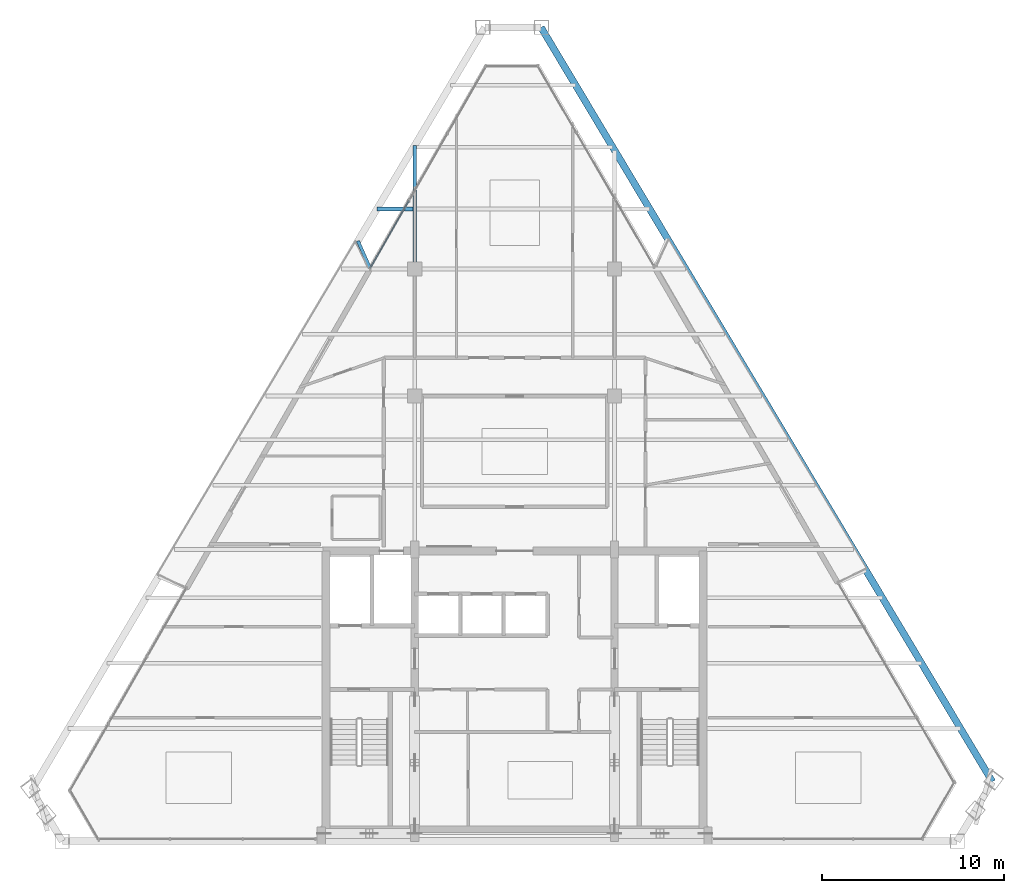
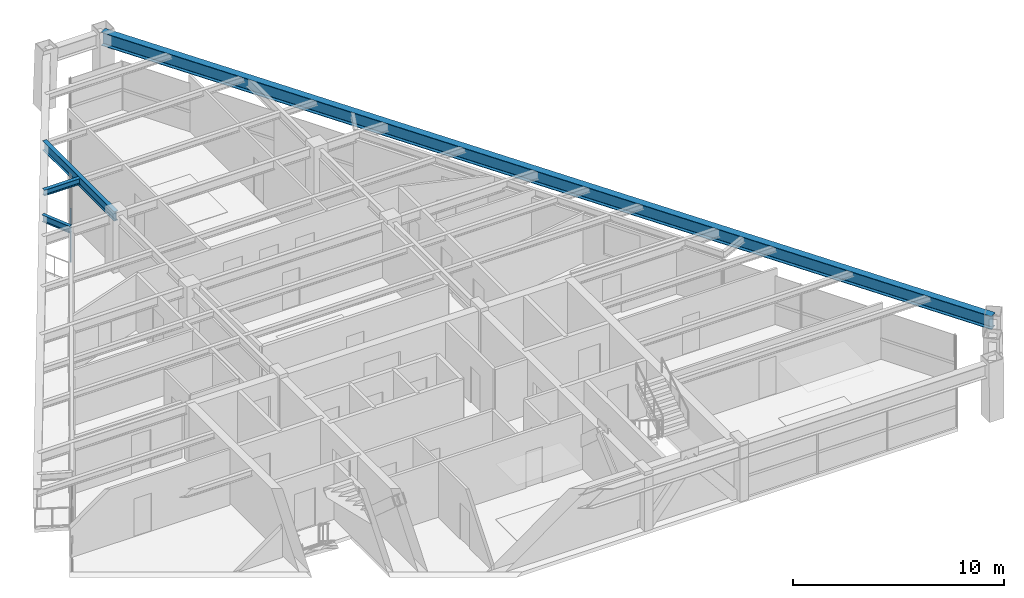
# One storey, part 6 of 13: 4 beams, 1 member, 1 element without a shape of its own.
"""IFC4 building model written with IfcOpenShell, lengths in metres."""

import ifcopenshell
import ifcopenshell.guid

model = None  # the IFC model being written
_history = None  # IfcOwnerHistory: only IFC2X3 demands one
_inside = {}  # id of a spatial element -> (the spatial element, [elements in it])
_under = {}  # id of a project, library or spatial element -> (it, [spatial elements below it])
_declared = {}  # id of a project -> (the project, [libraries it declares])
_typed = {}  # id of a type object -> (the type object, [elements of that type])
_made_of = {}  # id of a material, layer set ... -> (it, [elements and type objects made of it])


def new_model(schema):
    """Start an empty IFC model of exactly this schema.

    Asked for "IFC4X3", IfcOpenShell would pick the latest addendum, in which some entities
    have other attributes; the version numbers below select the first issue.
    IFC2X3 requires an IfcOwnerHistory on every rooted entity: one is made here for all.
    """
    global model, _history
    if schema == "IFC4X3":
        model = ifcopenshell.file(schema_version=(4, 3, 0, 0))
    else:
        model = ifcopenshell.file(schema=schema)
    _inside.clear()
    _under.clear()
    _declared.clear()
    _typed.clear()
    _made_of.clear()
    _history = None
    if model.schema == "IFC2X3":
        org = make("IfcOrganization", Name="unknown")
        user = make(
            "IfcPersonAndOrganization",
            ThePerson=make("IfcPerson", FamilyName="unknown"),
            TheOrganization=org,
        )
        app = make(
            "IfcApplication",
            ApplicationDeveloper=org,
            Version="unknown",
            ApplicationFullName="unknown",
            ApplicationIdentifier="unknown",
        )
        _history = make(
            "IfcOwnerHistory",
            OwningUser=user,
            OwningApplication=app,
            ChangeAction="ADDED",
            CreationDate=0,
        )
    return model


def make(cls, **values):
    """One entity of the class cls with the attributes given. An attribute that is None is left unset."""
    return model.create_entity(
        cls, **{name: value for name, value in values.items() if value is not None}
    )


def rooted(cls, **values):
    """An entity with a GlobalId (a new one), such as an element, a storey or a relation."""
    return make(cls, GlobalId=ifcopenshell.guid.new(), OwnerHistory=_history, **values)


def si_unit(unit_type, name, prefix=None):
    """IfcSIUnit, for example si_unit("LENGTHUNIT", "METRE", prefix="MILLI")."""
    return make("IfcSIUnit", UnitType=unit_type, Prefix=prefix, Name=name)


def assignment(units):
    """IfcUnitAssignment: the units of a project."""
    return None if units is None else make("IfcUnitAssignment", Units=units)


def point(xyz):
    """IfcCartesianPoint."""
    return None if xyz is None else make("IfcCartesianPoint", Coordinates=xyz)


def direction(xyz):
    """IfcDirection."""
    return None if xyz is None else make("IfcDirection", DirectionRatios=xyz)


def frame(location, z_axis=None, x_axis=None):
    """IfcAxis2Placement3D, a coordinate frame: its origin and axes. An axis left out is left unset."""
    return make(
        "IfcAxis2Placement3D",
        Location=point(location),
        Axis=direction(z_axis),
        RefDirection=direction(x_axis),
    )


def frame_2d(location, x_axis=None):
    """IfcAxis2Placement2D, a coordinate frame in the plane: its origin and x axis."""
    return make(
        "IfcAxis2Placement2D", Location=point(location), RefDirection=direction(x_axis)
    )


def origin():
    """The frame at (0, 0, 0) with its axes left unset."""
    return frame((0.0, 0.0, 0.0))


def origin_2d():
    """The frame at (0, 0) in the plane with its x axis left unset."""
    return frame_2d((0.0, 0.0))


def place(relative_to, where):
    """IfcLocalPlacement: puts the frame where relative to a parent placement (None: the world)."""
    return make(
        "IfcLocalPlacement", PlacementRelTo=relative_to, RelativePlacement=where
    )


def context(
    kind, dimensions, precision=None, world=None, true_north=None, identifier=None
):
    """IfcGeometricRepresentationContext, for example the 3D "Model" context."""
    return make(
        "IfcGeometricRepresentationContext",
        ContextIdentifier=identifier,
        ContextType=kind,
        CoordinateSpaceDimension=dimensions,
        Precision=precision,
        WorldCoordinateSystem=world,
        TrueNorth=true_north,
    )


def subcontext(parent, identifier, kind, view, scale=None):
    """IfcGeometricRepresentationSubContext, for example "Body" below "Model"."""
    return make(
        "IfcGeometricRepresentationSubContext",
        ContextIdentifier=identifier,
        ContextType=kind,
        ParentContext=parent,
        TargetScale=scale,
        TargetView=view,
    )


def project(units=None, contexts=None):
    """IfcProject with its units and contexts."""
    return rooted(
        "IfcProject",
        Name="project",
        RepresentationContexts=contexts,
        UnitsInContext=assignment(units),
    )


def spatial(cls, under=None, at=None, **own):
    """A site, building, storey or space (cls), placed at a placement, below another one or the project."""
    s = rooted(cls, ObjectPlacement=at, **own)
    if under is not None:
        _under.setdefault(under.id(), (under, []))[1].append(s)
    return s


def profile(cls, at=None, kind="AREA", **sizes):
    """A parametric profile (cls). Its sizes go by their IFC names, for example OverallWidth=200.0."""
    return make(cls, ProfileType=kind, Position=at, **sizes)


def rectangle(**sizes):
    """IfcRectangleProfileDef."""
    return profile("IfcRectangleProfileDef", **sizes)


def i_section(**sizes):
    """IfcIShapeProfileDef."""
    return profile("IfcIShapeProfileDef", **sizes)


def extrude(swept, where, along, depth):
    """IfcExtrudedAreaSolid: the profile swept, set in the frame where, extruded along a direction by depth."""
    return make(
        "IfcExtrudedAreaSolid",
        SweptArea=swept,
        Position=where,
        ExtrudedDirection=direction(along),
        Depth=depth,
    )


def shape(context_of_items, identifier, shape_type, items):
    """IfcShapeRepresentation: the items that make up one representation, for example the "Body"."""
    return make(
        "IfcShapeRepresentation",
        ContextOfItems=context_of_items,
        RepresentationIdentifier=identifier,
        RepresentationType=shape_type,
        Items=items,
    )


def source(mapping_origin, context_of_items, identifier, shape_type, items):
    """IfcRepresentationMap: a shape defined once, which mapped items show again and again."""
    return make(
        "IfcRepresentationMap",
        MappingOrigin=mapping_origin,
        MappedRepresentation=shape(context_of_items, identifier, shape_type, items),
    )


def transform(
    local_origin,
    x_axis=None,
    y_axis=None,
    z_axis=None,
    scale=None,
    scale2=None,
    scale3=None,
    uniform=True,
):
    """IfcCartesianTransformationOperator3D, or its non-uniform kind. x_axis, y_axis, z_axis: its Axis1, 2, 3."""
    if uniform:
        return make(
            "IfcCartesianTransformationOperator3D",
            Axis1=direction(x_axis),
            Axis2=direction(y_axis),
            LocalOrigin=point(local_origin),
            Scale=scale,
            Axis3=direction(z_axis),
        )
    return make(
        "IfcCartesianTransformationOperator3DnonUniform",
        Axis1=direction(x_axis),
        Axis2=direction(y_axis),
        LocalOrigin=point(local_origin),
        Scale=scale,
        Axis3=direction(z_axis),
        Scale2=scale2,
        Scale3=scale3,
    )


def mapped(mapping_source, mapping_target):
    """IfcMappedItem: shows the shape of a source again, moved by a transform."""
    return make(
        "IfcMappedItem", MappingSource=mapping_source, MappingTarget=mapping_target
    )


def material(Name=None, Category=None):
    """IfcMaterial."""
    return make("IfcMaterial", Name=Name, Category=Category)


def material_profile(
    of_material, cross_section, Name=None, Category=None, Priority=None
):
    """IfcMaterialProfile: a cross section and its material."""
    return make(
        "IfcMaterialProfile",
        Name=Name,
        Material=of_material,
        Profile=cross_section,
        Priority=Priority,
        Category=Category,
    )


def profile_set(profiles, Name=None, composite=None):
    """IfcMaterialProfileSet."""
    return make(
        "IfcMaterialProfileSet",
        Name=Name,
        MaterialProfiles=profiles,
        CompositeProfile=composite,
    )


def made_of(thing, what):
    """Note that an element or type object is made of a material, layer set ...; save() writes the relation."""
    if what is not None:
        _made_of.setdefault(what.id(), (what, []))[1].append(thing)
    return thing


def type_object(cls, material=None, **own):
    """A type object (cls), such as IfcWallType, which elements share."""
    return made_of(rooted(cls, **own), material)


def element(
    cls,
    number,
    at=None,
    inside=None,
    cuts=None,
    type_object=None,
    material=None,
    context=None,
    identifier="Body",
    shape_type=None,
    held_by="IfcProductDefinitionShape",
    body=None,
    shapes=None,
    **own,
):
    """One element of the class cls, such as IfcWall. Its Tag is "e" and its number.

    at: its placement. inside: the storey or other place that contains it. cuts: it is an
    opening in that element (IfcRelVoidsElement). A single representation is given by context,
    identifier, shape_type and body (its items); several are given by shapes. held_by: the class
    of the entity that holds the representations. save() writes the other relations.
    """
    e = rooted(cls, Tag="e%d" % number, ObjectPlacement=at, **own)
    if body is not None:
        shapes = [shape(context, identifier, shape_type, body)]
    if shapes is not None:
        e.Representation = make(held_by, Representations=shapes)
    if inside is not None:
        _inside.setdefault(inside.id(), (inside, []))[1].append(e)
    if cuts is not None:
        rooted(
            "IfcRelVoidsElement", RelatingBuildingElement=cuts, RelatedOpeningElement=e
        )
    if type_object is not None:
        _typed.setdefault(type_object.id(), (type_object, []))[1].append(e)
    return made_of(e, material)


def aggregate(whole, parts):
    """IfcRelAggregates: a whole, such as a stair, and the parts it consists of."""
    return rooted("IfcRelAggregates", RelatingObject=whole, RelatedObjects=parts)


def save(model, path):
    """Write the relations noted so far, then the file.

    IfcRelAggregates (storeys below a building ...), IfcRelContainedInSpatialStructure (elements
    in a storey), IfcRelDefinesByType, IfcRelAssociatesMaterial and IfcRelDeclares: one each for
    every whole, place, type object, material and project.
    """
    for whole, parts in _under.values():
        aggregate(whole, parts)
    for where, things in _inside.values():
        rooted(
            "IfcRelContainedInSpatialStructure",
            RelatedElements=things,
            RelatingStructure=where,
        )
    for kind, things in _typed.values():
        rooted("IfcRelDefinesByType", RelatedObjects=things, RelatingType=kind)
    for what, things in _made_of.values():
        rooted("IfcRelAssociatesMaterial", RelatedObjects=things, RelatingMaterial=what)
    for by, libraries in _declared.values():
        rooted("IfcRelDeclares", RelatingContext=by, RelatedDefinitions=libraries)
    model.write(path)


model = new_model("IFC4")

# Units and contexts
model_context = context("Model", 3, precision=1e-05, world=origin(), true_north=direction((0.0, 1.0)))
body_context = subcontext(model_context, "Body", "Model", "MODEL_VIEW")
ifc_project = project(units=[si_unit("LENGTHUNIT", "METRE"), si_unit("AREAUNIT", "SQUARE_METRE"), si_unit("VOLUMEUNIT", "CUBIC_METRE"), si_unit("PLANEANGLEUNIT", "RADIAN"), si_unit("MASSUNIT", "GRAM", prefix="KILO")], contexts=[model_context])

# Site, building, storey
site_placement = place(None, origin())
site = spatial("IfcSite", under=ifc_project, at=site_placement, CompositionType="ELEMENT")
building_placement = place(site_placement, origin())
building = spatial("IfcBuilding", under=site, at=building_placement, Name="Varnakhor Terracotta Tower", CompositionType="ELEMENT")
storey_placement = place(building_placement, frame((0.0, 0.0, 290.25)))
storey = spatial("IfcBuildingStorey", under=building, at=storey_placement, Name="L76", CompositionType="ELEMENT", Elevation=290.25)

# Beams
ifc_material_1 = material(Name="Steel S355", Category="steel")
ifc_material_profile_1 = material_profile(ifc_material_1, i_section(OverallWidth=0.381103515625, OverallDepth=0.77294921875, WebThickness=0.01708984375, FlangeThickness=0.027099609375, FilletRadius=0.01806640625, at=origin_2d()), Name="W30X173")
ifc_profile_set_1 = profile_set([ifc_material_profile_1], Name="Steel S355")
beam_type_1 = type_object("IfcBeamType", Name="BM-W30X173", PredefinedType="BEAM", material=ifc_profile_set_1)
shared_shape_1 = source(origin(), body_context, "Body", "SweptSolid", [
    extrude(i_section(OverallWidth=0.381103515625, OverallDepth=0.77294921875, WebThickness=0.01708984375, FlangeThickness=0.027099609375, FilletRadius=0.01806640625, at=origin_2d()), origin(), (0.0, 0.0, 1.0), 48.383544921875),
])
beam_1_placement = place(storey_placement, frame((26.294189453125, 3.2744140625, 2.853515625), z_axis=(-0.513460219771, 0.858113397351, 0.0), x_axis=(-0.858113397351, -0.513460219771, 0.0)))
element("IfcBeam", 1, at=beam_1_placement, inside=storey, type_object=beam_type_1, Name="L76 Perimeter Spandrel 4", PredefinedType="BEAM", context=body_context, shape_type="MappedRepresentation", body=[
    mapped(shared_shape_1, transform((0.0, 0.0, 0.0), scale=1.0)),
])
ifc_material_profile_2 = material_profile(ifc_material_1, i_section(OverallWidth=0.214111328125, OverallDepth=0.549072265625, WebThickness=0.014892578125, FlangeThickness=0.02392578125, FilletRadius=0.01806640625, at=origin_2d()), Name="W21X93")
ifc_profile_set_2 = profile_set([ifc_material_profile_2], Name="Steel S355")
beam_type_2 = type_object("IfcBeamType", Name="BM-W21X93", PredefinedType="BEAM", material=ifc_profile_set_2)
shared_shape_2 = source(origin(), body_context, "Body", "SweptSolid", [
    extrude(i_section(OverallWidth=0.214111328125, OverallDepth=0.549072265625, WebThickness=0.014892578125, FlangeThickness=0.02392578125, FilletRadius=0.01806640625, at=origin_2d()), origin(), (0.0, 0.0, 1.0), 6.80419921875),
])
beam_2_placement = place(storey_placement, frame((-5.5, 31.5, 2.965576171875), z_axis=(0.0, 1.0, 0.0), x_axis=(-1.0, 0.0, 0.0)))
element("IfcBeam", 2, at=beam_2_placement, inside=storey, type_object=beam_type_2, Name="L76 Primary Girder NS3-W", PredefinedType="BEAM", context=body_context, shape_type="MappedRepresentation", body=[
    mapped(shared_shape_2, transform((0.0, 0.0, 0.0), scale=1.0)),
])
ifc_material_profile_3 = material_profile(ifc_material_1, i_section(OverallWidth=0.202880859375, OverallDepth=0.346923828125, WebThickness=0.0078125, FlangeThickness=0.013427734375, FilletRadius=0.01806640625, at=origin_2d()), Name="W14X43")
ifc_profile_set_3 = profile_set([ifc_material_profile_3], Name="Steel S355")
beam_type_3 = type_object("IfcBeamType", Name="JST-W14X43", PredefinedType="JOIST", material=ifc_profile_set_3)
shared_shape_3 = source(origin(), body_context, "Body", "SweptSolid", [
    extrude(i_section(OverallWidth=0.202880859375, OverallDepth=0.346923828125, WebThickness=0.0078125, FlangeThickness=0.013427734375, FilletRadius=0.01806640625, at=origin_2d()), origin(), (0.0, 0.0, 1.0), 1.978515625),
])
beam_3_placement = place(storey_placement, frame((-7.58154296875, 34.800048828125, 3.06640625), z_axis=(1.0, 0.0, 0.0), x_axis=(0.0, 1.0, 0.0)))
element("IfcBeam", 3, at=beam_3_placement, inside=storey, type_object=beam_type_3, Name="L76 Composite Floor Joist 7-1", PredefinedType="JOIST", context=body_context, shape_type="MappedRepresentation", body=[
    mapped(shared_shape_3, transform((0.0, 0.0, 0.0), scale=1.0)),
])
ifc_material_profile_4 = material_profile(ifc_material_1, i_section(OverallWidth=0.179931640625, OverallDepth=0.39990234375, WebThickness=0.008544921875, FlangeThickness=0.013427734375, FilletRadius=0.01806640625, at=origin_2d()), Name="IPE400")
ifc_profile_set_4 = profile_set([ifc_material_profile_4], Name="Steel S355")
beam_type_4 = type_object("IfcBeamType", Name="JST-IPE400", PredefinedType="JOIST", material=ifc_profile_set_4)
shared_shape_4 = source(origin(), body_context, "Body", "SweptSolid", [
    extrude(i_section(OverallWidth=0.179931640625, OverallDepth=0.39990234375, WebThickness=0.008544921875, FlangeThickness=0.013427734375, FilletRadius=0.01806640625, at=origin_2d()), origin(), (0.0, 0.0, 1.0), 1.640380859375),
])
beam_4_placement = place(storey_placement, frame((-7.96142578125, 31.539794921875, 3.0400390625), z_axis=(-0.406152274813, 0.913805411269, 0.0), x_axis=(-0.913805411269, -0.406152274813, 0.0)))
element("IfcBeam", 4, at=beam_4_placement, inside=storey, type_object=beam_type_4, Name="L77 W Loggia Tie Beam 2", PredefinedType="JOIST", context=body_context, shape_type="MappedRepresentation", body=[
    mapped(shared_shape_4, transform((0.0, 0.0, 0.0), scale=1.0)),
])

# Curtain wall, member
ifc_material_2 = material(Name="Anodised Aluminium Curtain Wall System", Category="aluminium")
curtain_wall_type = type_object("IfcCurtainWallType", Name="CW-SYS-HOTEL-LOGGIA", PredefinedType="NOTDEFINED", material=ifc_material_2)
curtain_wall_placement = place(storey_placement, origin())
curtain_wall = element("IfcCurtainWall", 5, at=curtain_wall_placement, inside=storey, type_object=curtain_wall_type, Name="L76 W Facet Curtain Wall 2", PredefinedType="NOTDEFINED")
ifc_material_3 = material(Name="Anodised Aluminium 6063-T6", Category="aluminium")
ifc_material_profile_5 = material_profile(ifc_material_3, rectangle(XDim=0.06494140625, YDim=0.14501953125, at=origin_2d()), Name="ALU TRANSOM 65x145")
ifc_profile_set_5 = profile_set([ifc_material_profile_5], Name="Anodised Aluminium 6063-T6")
member_type = type_object("IfcMemberType", Name="CWT-04", PredefinedType="USERDEFINED", material=ifc_profile_set_5)
shared_shape_5 = source(origin(), body_context, "Body", "SweptSolid", [
    extrude(rectangle(XDim=0.06494140625, YDim=0.14501953125, at=origin_2d()), origin(), (0.0, 0.0, 1.0), 4.2822265625),
])
member_placement = place(storey_placement, frame((-7.95263671875, 31.539306640625, 1.184326171875), z_axis=(0.498053320526, 0.867146406273, 0.0), x_axis=(-0.867146406273, 0.498053320526, 0.0)))
member = element("IfcMember", 6, at=member_placement, type_object=member_type, Name="L76 W Facet Curtain Wall 2 Transom 1", ObjectType="TRANSOM", PredefinedType="USERDEFINED", context=body_context, shape_type="MappedRepresentation", body=[
    mapped(shared_shape_5, transform((0.0, 0.0, 0.0), scale=1.0)),
])
aggregate(curtain_wall, [member])

save(model, "model.ifc")
